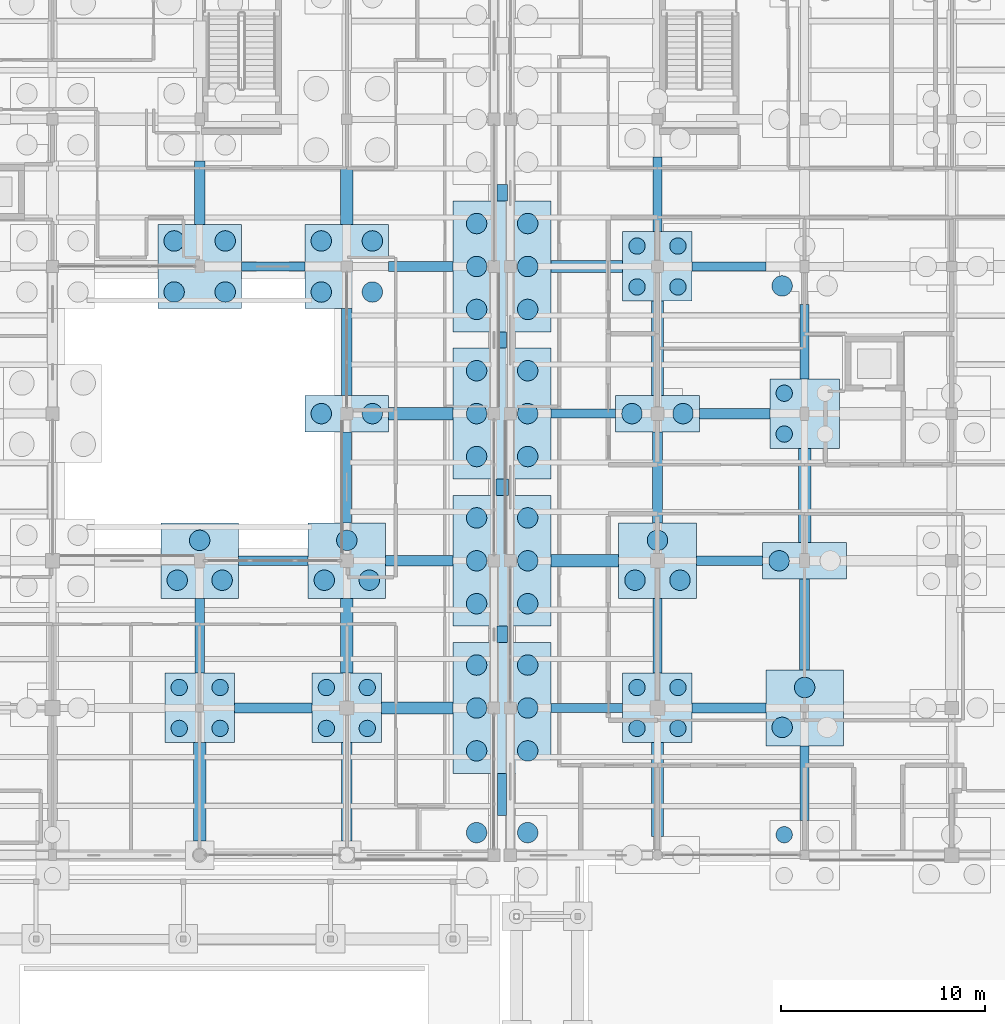
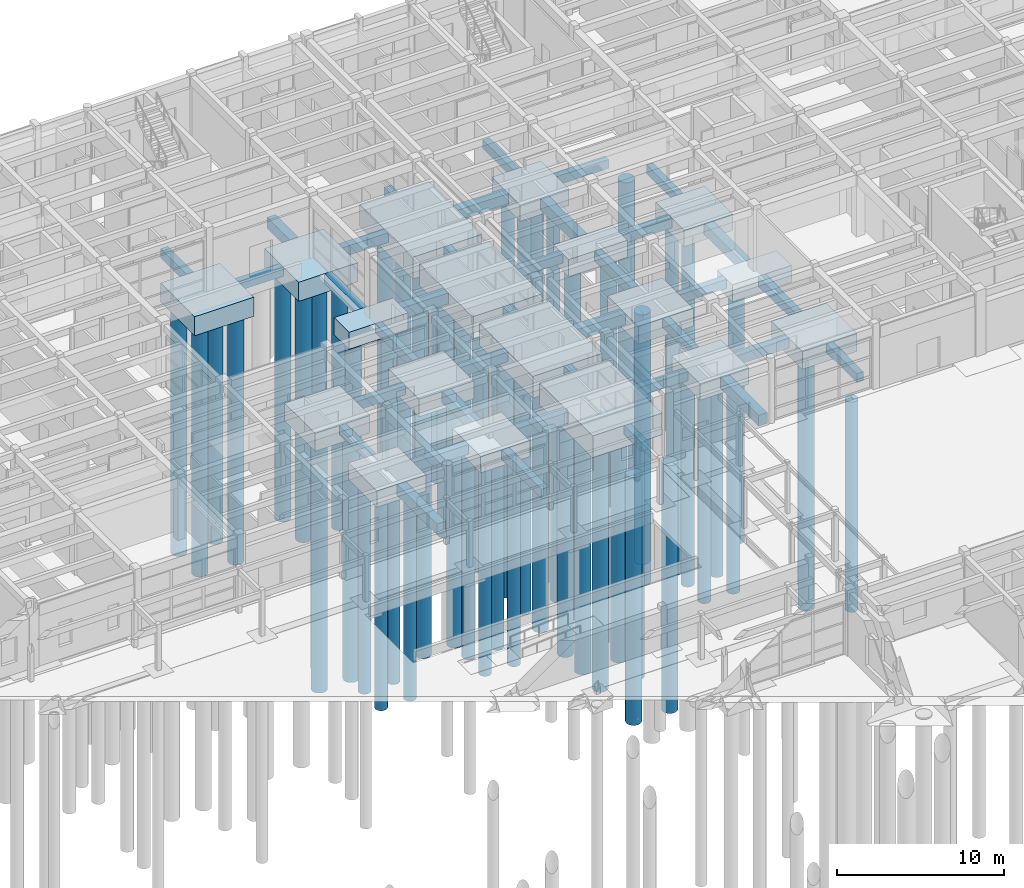
# One storey, part 9 of 143: 70 piles, 55 footings.
"""IFC4 building model written with IfcOpenShell, lengths in metres."""

from ifc_helpers import new_model, si_unit, direction, frame, origin, origin_2d, place, context, subcontext, project, spatial, rectangle, circle, extrude, material, material_profile, profile_set, type_object, element, save


model = new_model("IFC4")

# Units and contexts
model_context = context("Model", 3, precision=1e-05, world=origin(), true_north=direction((0.0, 1.0)))
body_context = subcontext(model_context, "Body", "Model", "MODEL_VIEW")
ifc_project = project(units=[si_unit("LENGTHUNIT", "METRE"), si_unit("AREAUNIT", "SQUARE_METRE"), si_unit("VOLUMEUNIT", "CUBIC_METRE"), si_unit("PLANEANGLEUNIT", "RADIAN"), si_unit("MASSUNIT", "GRAM", prefix="KILO")], contexts=[model_context])

# Site, building, storey
site_placement = place(None, origin())
site = spatial("IfcSite", under=ifc_project, at=site_placement, CompositionType="ELEMENT")
building_placement = place(site_placement, origin())
building = spatial("IfcBuilding", under=site, at=building_placement, Name="Steenspoor Specialist Clinic", CompositionType="ELEMENT")
storey_placement = place(building_placement, origin())
storey = spatial("IfcBuildingStorey", under=building, at=storey_placement, Name="L00", CompositionType="ELEMENT", Elevation=0.0)

# Footings
ifc_material = material(Name="Concrete C35/45", Category="concrete")
footing_type_1 = type_object("IfcFootingType", Name="FTG-PC-2P-1000", PredefinedType="PILE_CAP", material=ifc_material)
for number, where, z_axis, x_axis, name in (
    (1, (110.0, 86.75, -1.25), (0.0, 0.0, 1.0), (1.0, 0.0, 0.0), "Pile Cap FTG-PC-157"),
    (2, (125.199951171875, 86.75, -1.25), (0.0, 0.0, 1.0), (1.0, 0.0, 0.0), "Pile Cap FTG-PC-202"),
    (3, (132.39990234375, 79.550048828125, -1.25), (0.0, 0.0, 1.0), (1.0, 0.0, 0.0), "Pile Cap FTG-PC-208"),
):
    element("IfcFooting", number, at=place(storey_placement, frame(where, z_axis=z_axis, x_axis=x_axis)), inside=storey, type_object=footing_type_1, Name=name, PredefinedType="PILE_CAP", context=body_context, shape_type="SweptSolid", body=[
        extrude(rectangle(XDim=4.10009765625, YDim=1.800048828125, at=origin_2d()), origin(), (0.0, 0.0, 1.0), 1.25),
    ])
footing_type_2 = type_object("IfcFootingType", Name="FTG-PC-3P-1000", PredefinedType="PILE_CAP", material=ifc_material)
for number, where, z_axis, x_axis, name in (
    (4, (102.800048828125, 79.550048828125, -1.2998046875), (0.0, 0.0, 1.0), (1.0, 0.0, 0.0), "Pile Cap FTG-PC-150"),
    (5, (110.0, 79.550048828125, -1.2998046875), (0.0, 0.0, 1.0), (1.0, 0.0, 0.0), "Pile Cap FTG-PC-156"),
    (6, (125.199951171875, 79.550048828125, -1.2998046875), (0.0, 0.0, 1.0), (1.0, 0.0, 0.0), "Pile Cap FTG-PC-201"),
    (7, (132.39990234375, 72.35009765625, -1.2998046875), (0.0, 0.0, 1.0), (1.0, 0.0, 0.0), "Pile Cap FTG-PC-207"),
):
    element("IfcFooting", number, at=place(storey_placement, frame(where, z_axis=z_axis, x_axis=x_axis)), inside=storey, type_object=footing_type_2, Name=name, PredefinedType="PILE_CAP", context=body_context, shape_type="SweptSolid", body=[
        extrude(rectangle(XDim=3.800048828125, YDim=3.699951171875, at=origin_2d()), origin(), (0.0, 0.0, 1.0), 1.300048828125),
    ])
footing_type_3 = type_object("IfcFootingType", Name="FTG-PC-4P-1000", PredefinedType="PILE_CAP", material=ifc_material)
for number, where, z_axis, x_axis, name in (
    (8, (102.800048828125, 93.949951171875, -1.39990234375), (0.0, 0.0, 1.0), (1.0, 0.0, 0.0), "Pile Cap FTG-PC-151"),
    (9, (110.0, 93.949951171875, -1.39990234375), (0.0, 0.0, 1.0), (1.0, 0.0, 0.0), "Pile Cap FTG-PC-158"),
):
    element("IfcFooting", number, at=place(storey_placement, frame(where, z_axis=z_axis, x_axis=x_axis)), inside=storey, type_object=footing_type_3, Name=name, PredefinedType="PILE_CAP", context=body_context, shape_type="SweptSolid", body=[
        extrude(rectangle(XDim=4.10009765625, YDim=4.10009765625, at=origin_2d()), origin(), (0.0, 0.0, 1.0), 1.39990234375),
    ])
footing_type_4 = type_object("IfcFootingType", Name="FTG-PC-4P-800", PredefinedType="PILE_CAP", material=ifc_material)
for number, where, z_axis, x_axis, name in (
    (10, (102.800048828125, 72.35009765625, -1.2001953125), (0.0, 0.0, 1.0), (1.0, 0.0, 0.0), "Pile Cap FTG-PC-149"),
    (11, (110.0, 72.35009765625, -1.2001953125), (0.0, 0.0, 1.0), (1.0, 0.0, 0.0), "Pile Cap FTG-PC-155"),
    (12, (125.199951171875, 72.35009765625, -1.2001953125), (0.0, 0.0, 1.0), (1.0, 0.0, 0.0), "Pile Cap FTG-PC-200"),
    (13, (125.199951171875, 93.949951171875, -1.2001953125), (0.0, 0.0, 1.0), (1.0, 0.0, 0.0), "Pile Cap FTG-PC-203"),
    (14, (132.39990234375, 86.75, -1.2001953125), (0.0, 0.0, 1.0), (1.0, 0.0, 0.0), "Pile Cap FTG-PC-209"),
):
    element("IfcFooting", number, at=place(storey_placement, frame(where, z_axis=z_axis, x_axis=x_axis)), inside=storey, type_object=footing_type_4, Name=name, PredefinedType="PILE_CAP", context=body_context, shape_type="SweptSolid", body=[
        extrude(rectangle(XDim=3.39990234375, YDim=3.39990234375, at=origin_2d()), origin(), (0.0, 0.0, 1.0), 1.199951171875),
    ])
footing_type_5 = type_object("IfcFootingType", Name="FTG-PC-SJ-6P", PredefinedType="PILE_CAP", material=ifc_material)
for number, where, z_axis, x_axis, name in (
    (15, (117.60009765625, 72.35009765625, -1.60009765625), (0.0, 0.0, 1.0), (1.0, 0.0, 0.0), "Pile Cap FTG-PC-162"),
    (16, (117.60009765625, 79.550048828125, -1.60009765625), (0.0, 0.0, 1.0), (1.0, 0.0, 0.0), "Pile Cap FTG-PC-163"),
    (17, (117.60009765625, 86.75, -1.60009765625), (0.0, 0.0, 1.0), (1.0, 0.0, 0.0), "Pile Cap FTG-PC-164"),
    (18, (117.60009765625, 93.949951171875, -1.60009765625), (0.0, 0.0, 1.0), (1.0, 0.0, 0.0), "Pile Cap FTG-PC-165"),
):
    element("IfcFooting", number, at=place(storey_placement, frame(where, z_axis=z_axis, x_axis=x_axis)), inside=storey, type_object=footing_type_5, Name=name, PredefinedType="PILE_CAP", context=body_context, shape_type="SweptSolid", body=[
        extrude(rectangle(XDim=4.800048828125, YDim=6.39990234375, at=origin_2d()), origin(), (0.0, 0.0, 1.0), 1.60009765625),
    ])
footing_type_6 = type_object("IfcFootingType", Name="FTG-TB-450X650", PredefinedType="FOOTING_BEAM", material=ifc_material)
footing_1_placement = place(storey_placement, frame((121.75, 72.35009765625, -0.64990234375), z_axis=(0.0, 0.0, 1.0), x_axis=(1.0, 0.0, 0.0)))
element("IfcFooting", 19, at=footing_1_placement, inside=storey, type_object=footing_type_6, Name="Seismic Tie Beam FTG-TB-164", PredefinedType="FOOTING_BEAM", context=body_context, shape_type="SweptSolid", body=[
    extrude(rectangle(XDim=3.5, YDim=0.449951171875, at=origin_2d()), origin(), (0.0, 0.0, 1.0), 0.64990234375),
])
footing_2_placement = place(storey_placement, frame((106.39990234375, 79.550048828125, -0.64990234375), z_axis=(0.0, 0.0, 1.0), x_axis=(1.0, 0.0, 0.0)))
element("IfcFooting", 20, at=footing_2_placement, inside=storey, type_object=footing_type_6, Name="Seismic Tie Beam FTG-TB-182", PredefinedType="FOOTING_BEAM", context=body_context, shape_type="SweptSolid", body=[
    extrude(rectangle(XDim=3.39990234375, YDim=0.449951171875, at=origin_2d()), origin(), (0.0, 0.0, 1.0), 0.64990234375),
])
footing_3_placement = place(storey_placement, frame((128.72509765625, 79.550048828125, -0.64990234375), z_axis=(0.0, 0.0, 1.0), x_axis=(1.0, 0.0, 0.0)))
element("IfcFooting", 21, at=footing_3_placement, inside=storey, type_object=footing_type_6, Name="Seismic Tie Beam FTG-TB-185", PredefinedType="FOOTING_BEAM", context=body_context, shape_type="SweptSolid", body=[
    extrude(rectangle(XDim=3.25, YDim=0.449951171875, at=origin_2d()), origin(), (0.0, 0.0, 1.0), 0.64990234375),
])
footing_4_placement = place(storey_placement, frame((121.574951171875, 86.75, -0.64990234375), z_axis=(0.0, 0.0, 1.0), x_axis=(1.0, 0.0, 0.0)))
element("IfcFooting", 22, at=footing_4_placement, inside=storey, type_object=footing_type_6, Name="Seismic Tie Beam FTG-TB-200", PredefinedType="FOOTING_BEAM", context=body_context, shape_type="SweptSolid", body=[
    extrude(rectangle(XDim=3.14990234375, YDim=0.449951171875, at=origin_2d()), origin(), (0.0, 0.0, 1.0), 0.64990234375),
])
footing_5_placement = place(storey_placement, frame((106.39990234375, 93.949951171875, -0.64990234375), z_axis=(0.0, 0.0, 1.0), x_axis=(1.0, 0.0, 0.0)))
element("IfcFooting", 23, at=footing_5_placement, inside=storey, type_object=footing_type_6, Name="Seismic Tie Beam FTG-TB-218", PredefinedType="FOOTING_BEAM", context=body_context, shape_type="SweptSolid", body=[
    extrude(rectangle(XDim=3.10009765625, YDim=0.449951171875, at=origin_2d()), origin(), (0.0, 0.0, 1.0), 0.64990234375),
])
footing_6_placement = place(storey_placement, frame((128.699951171875, 93.949951171875, -0.64990234375), z_axis=(0.0, 0.0, 1.0), x_axis=(1.0, 0.0, 0.0)))
element("IfcFooting", 24, at=footing_6_placement, inside=storey, type_object=footing_type_6, Name="Seismic Tie Beam FTG-TB-221", PredefinedType="FOOTING_BEAM", context=body_context, shape_type="SweptSolid", body=[
    extrude(rectangle(XDim=3.60009765625, YDim=0.449951171875, at=origin_2d()), origin(), (0.0, 0.0, 1.0), 0.64990234375),
])
footing_7_placement = place(storey_placement, frame((102.800048828125, 75.875, -0.64990234375), z_axis=(0.0, 0.0, 1.0), x_axis=(1.0, 0.0, 0.0)))
element("IfcFooting", 25, at=footing_7_placement, inside=storey, type_object=footing_type_6, Name="Seismic Tie Beam FTG-TB-392", PredefinedType="FOOTING_BEAM", context=body_context, shape_type="SweptSolid", body=[
    extrude(rectangle(XDim=0.449951171875, YDim=3.64990234375, at=origin_2d()), origin(), (0.0, 0.0, 1.0), 0.64990234375),
])
footing_8_placement = place(storey_placement, frame((110.0, 83.625, -0.64990234375), z_axis=(0.0, 0.0, 1.0), x_axis=(1.0, 0.0, 0.0)))
element("IfcFooting", 26, at=footing_8_placement, inside=storey, type_object=footing_type_6, Name="Seismic Tie Beam FTG-TB-401", PredefinedType="FOOTING_BEAM", context=body_context, shape_type="SweptSolid", body=[
    extrude(rectangle(XDim=0.449951171875, YDim=4.449951171875, at=origin_2d()), origin(), (0.0, 0.0, 1.0), 0.64990234375),
])
footing_9_placement = place(storey_placement, frame((117.60009765625, 68.125, -0.64990234375), z_axis=(0.0, 0.0, 1.0), x_axis=(1.0, 0.0, 0.0)))
element("IfcFooting", 27, at=footing_9_placement, inside=storey, type_object=footing_type_6, Name="Seismic Tie Beam FTG-TB-407", PredefinedType="FOOTING_BEAM", context=body_context, shape_type="SweptSolid", body=[
    extrude(rectangle(XDim=0.449951171875, YDim=2.050048828125, at=origin_2d()), origin(), (0.0, 0.0, 1.0), 0.64990234375),
])
footing_10_placement = place(storey_placement, frame((117.60009765625, 90.35009765625, -0.64990234375), z_axis=(0.0, 0.0, 1.0), x_axis=(1.0, 0.0, 0.0)))
element("IfcFooting", 28, at=footing_10_placement, inside=storey, type_object=footing_type_6, Name="Seismic Tie Beam FTG-TB-410", PredefinedType="FOOTING_BEAM", context=body_context, shape_type="SweptSolid", body=[
    extrude(rectangle(XDim=0.449951171875, YDim=0.800048828125, at=origin_2d()), origin(), (0.0, 0.0, 1.0), 0.64990234375),
])
for number, where, z_axis, x_axis, name in (
    (29, (125.199951171875, 75.875, -0.64990234375), (0.0, 0.0, 1.0), (1.0, 0.0, 0.0), "Seismic Tie Beam FTG-TB-422"),
    (30, (125.199951171875, 97.47509765625, -0.64990234375), (0.0, 0.0, 1.0), (1.0, 0.0, 0.0), "Seismic Tie Beam FTG-TB-425"),
    (31, (132.39990234375, 68.675048828125, -0.64990234375), (0.0, 0.0, 1.0), (1.0, 0.0, 0.0), "Seismic Tie Beam FTG-TB-431"),
    (32, (132.39990234375, 90.27490234375, -0.64990234375), (0.0, 0.0, 1.0), (1.0, 0.0, 0.0), "Seismic Tie Beam FTG-TB-434"),
):
    element("IfcFooting", number, at=place(storey_placement, frame(where, z_axis=z_axis, x_axis=x_axis)), inside=storey, type_object=footing_type_6, Name=name, PredefinedType="FOOTING_BEAM", context=body_context, shape_type="SweptSolid", body=[
        extrude(rectangle(XDim=0.449951171875, YDim=3.64990234375, at=origin_2d()), origin(), (0.0, 0.0, 1.0), 0.64990234375),
    ])
footing_type_7 = type_object("IfcFootingType", Name="FTG-TB-500X700", PredefinedType="FOOTING_BEAM", material=ifc_material)
footing_11_placement = place(storey_placement, frame((106.39990234375, 72.35009765625, -0.7001953125), z_axis=(0.0, 0.0, 1.0), x_axis=(1.0, 0.0, 0.0)))
element("IfcFooting", 33, at=footing_11_placement, inside=storey, type_object=footing_type_7, Name="Seismic Tie Beam FTG-TB-162", PredefinedType="FOOTING_BEAM", context=body_context, shape_type="SweptSolid", body=[
    extrude(rectangle(XDim=3.800048828125, YDim=0.5, at=origin_2d()), origin(), (0.0, 0.0, 1.0), 0.699951171875),
])
footing_12_placement = place(storey_placement, frame((128.699951171875, 72.35009765625, -0.7001953125), z_axis=(0.0, 0.0, 1.0), x_axis=(1.0, 0.0, 0.0)))
element("IfcFooting", 34, at=footing_12_placement, inside=storey, type_object=footing_type_7, Name="Seismic Tie Beam FTG-TB-165", PredefinedType="FOOTING_BEAM", context=body_context, shape_type="SweptSolid", body=[
    extrude(rectangle(XDim=3.60009765625, YDim=0.5, at=origin_2d()), origin(), (0.0, 0.0, 1.0), 0.699951171875),
])
footing_13_placement = place(storey_placement, frame((113.550048828125, 79.550048828125, -0.7001953125), z_axis=(0.0, 0.0, 1.0), x_axis=(1.0, 0.0, 0.0)))
element("IfcFooting", 35, at=footing_13_placement, inside=storey, type_object=footing_type_7, Name="Seismic Tie Beam FTG-TB-183", PredefinedType="FOOTING_BEAM", context=body_context, shape_type="SweptSolid", body=[
    extrude(rectangle(XDim=3.300048828125, YDim=0.5, at=origin_2d()), origin(), (0.0, 0.0, 1.0), 0.699951171875),
])
footing_14_placement = place(storey_placement, frame((128.97509765625, 86.75, -0.7001953125), z_axis=(0.0, 0.0, 1.0), x_axis=(1.0, 0.0, 0.0)))
element("IfcFooting", 36, at=footing_14_placement, inside=storey, type_object=footing_type_7, Name="Seismic Tie Beam FTG-TB-201", PredefinedType="FOOTING_BEAM", context=body_context, shape_type="SweptSolid", body=[
    extrude(rectangle(XDim=3.449951171875, YDim=0.5, at=origin_2d()), origin(), (0.0, 0.0, 1.0), 0.699951171875),
])
footing_15_placement = place(storey_placement, frame((113.625, 93.949951171875, -0.7001953125), z_axis=(0.0, 0.0, 1.0), x_axis=(1.0, 0.0, 0.0)))
element("IfcFooting", 37, at=footing_15_placement, inside=storey, type_object=footing_type_7, Name="Seismic Tie Beam FTG-TB-219", PredefinedType="FOOTING_BEAM", context=body_context, shape_type="SweptSolid", body=[
    extrude(rectangle(XDim=3.14990234375, YDim=0.5, at=origin_2d()), origin(), (0.0, 0.0, 1.0), 0.699951171875),
])
footing_16_placement = place(storey_placement, frame((102.800048828125, 97.550048828125, -0.7001953125), z_axis=(0.0, 0.0, 1.0), x_axis=(1.0, 0.0, 0.0)))
element("IfcFooting", 38, at=footing_16_placement, inside=storey, type_object=footing_type_7, Name="Seismic Tie Beam FTG-TB-393", PredefinedType="FOOTING_BEAM", context=body_context, shape_type="SweptSolid", body=[
    extrude(rectangle(XDim=0.5, YDim=3.10009765625, at=origin_2d()), origin(), (0.0, 0.0, 1.0), 0.699951171875),
])
footing_17_placement = place(storey_placement, frame((110.0, 68.25, -0.7001953125), z_axis=(0.0, 0.0, 1.0), x_axis=(1.0, 0.0, 0.0)))
element("IfcFooting", 39, at=footing_17_placement, inside=storey, type_object=footing_type_7, Name="Seismic Tie Beam FTG-TB-399", PredefinedType="FOOTING_BEAM", context=body_context, shape_type="SweptSolid", body=[
    extrude(rectangle(XDim=0.5, YDim=4.800048828125, at=origin_2d()), origin(), (0.0, 0.0, 1.0), 0.699951171875),
])
footing_18_placement = place(storey_placement, frame((110.0, 89.77490234375, -0.7001953125), z_axis=(0.0, 0.0, 1.0), x_axis=(1.0, 0.0, 0.0)))
element("IfcFooting", 40, at=footing_18_placement, inside=storey, type_object=footing_type_7, Name="Seismic Tie Beam FTG-TB-402", PredefinedType="FOOTING_BEAM", context=body_context, shape_type="SweptSolid", body=[
    extrude(rectangle(XDim=0.5, YDim=4.25, at=origin_2d()), origin(), (0.0, 0.0, 1.0), 0.699951171875),
])
for number, where, z_axis, x_axis, name in (
    (41, (117.60009765625, 75.949951171875, -0.7001953125), (0.0, 0.0, 1.0), (1.0, 0.0, 0.0), "Seismic Tie Beam FTG-TB-408"),
    (42, (117.60009765625, 97.550048828125, -0.7001953125), (0.0, 0.0, 1.0), (1.0, 0.0, 0.0), "Seismic Tie Beam FTG-TB-411"),
):
    element("IfcFooting", number, at=place(storey_placement, frame(where, z_axis=z_axis, x_axis=x_axis)), inside=storey, type_object=footing_type_7, Name=name, PredefinedType="FOOTING_BEAM", context=body_context, shape_type="SweptSolid", body=[
        extrude(rectangle(XDim=0.5, YDim=0.800048828125, at=origin_2d()), origin(), (0.0, 0.0, 1.0), 0.699951171875),
    ])
for number, where, z_axis, x_axis, name in (
    (43, (125.199951171875, 83.625, -0.7001953125), (0.0, 0.0, 1.0), (1.0, 0.0, 0.0), "Seismic Tie Beam FTG-TB-423"),
    (44, (132.39990234375, 76.425048828125, -0.7001953125), (0.0, 0.0, 1.0), (1.0, 0.0, 0.0), "Seismic Tie Beam FTG-TB-432"),
):
    element("IfcFooting", number, at=place(storey_placement, frame(where, z_axis=z_axis, x_axis=x_axis)), inside=storey, type_object=footing_type_7, Name=name, PredefinedType="FOOTING_BEAM", context=body_context, shape_type="SweptSolid", body=[
        extrude(rectangle(XDim=0.5, YDim=4.449951171875, at=origin_2d()), origin(), (0.0, 0.0, 1.0), 0.699951171875),
    ])
footing_type_8 = type_object("IfcFootingType", Name="FTG-TB-600X800", PredefinedType="FOOTING_BEAM", material=ifc_material)
footing_19_placement = place(storey_placement, frame((113.449951171875, 72.35009765625, -0.7998046875), z_axis=(0.0, 0.0, 1.0), x_axis=(1.0, 0.0, 0.0)))
element("IfcFooting", 45, at=footing_19_placement, inside=storey, type_object=footing_type_8, Name="Seismic Tie Beam FTG-TB-163", PredefinedType="FOOTING_BEAM", context=body_context, shape_type="SweptSolid", body=[
    extrude(rectangle(XDim=3.5, YDim=0.60009765625, at=origin_2d()), origin(), (0.0, 0.0, 1.0), 0.800048828125),
])
footing_20_placement = place(storey_placement, frame((121.64990234375, 79.550048828125, -0.7998046875), z_axis=(0.0, 0.0, 1.0), x_axis=(1.0, 0.0, 0.0)))
element("IfcFooting", 46, at=footing_20_placement, inside=storey, type_object=footing_type_8, Name="Seismic Tie Beam FTG-TB-184", PredefinedType="FOOTING_BEAM", context=body_context, shape_type="SweptSolid", body=[
    extrude(rectangle(XDim=3.300048828125, YDim=0.60009765625, at=origin_2d()), origin(), (0.0, 0.0, 1.0), 0.800048828125),
])
footing_21_placement = place(storey_placement, frame((113.625, 86.75, -0.7998046875), z_axis=(0.0, 0.0, 1.0), x_axis=(1.0, 0.0, 0.0)))
element("IfcFooting", 47, at=footing_21_placement, inside=storey, type_object=footing_type_8, Name="Seismic Tie Beam FTG-TB-199", PredefinedType="FOOTING_BEAM", context=body_context, shape_type="SweptSolid", body=[
    extrude(rectangle(XDim=3.14990234375, YDim=0.60009765625, at=origin_2d()), origin(), (0.0, 0.0, 1.0), 0.800048828125),
])
footing_22_placement = place(storey_placement, frame((121.75, 93.949951171875, -0.7998046875), z_axis=(0.0, 0.0, 1.0), x_axis=(1.0, 0.0, 0.0)))
element("IfcFooting", 48, at=footing_22_placement, inside=storey, type_object=footing_type_8, Name="Seismic Tie Beam FTG-TB-220", PredefinedType="FOOTING_BEAM", context=body_context, shape_type="SweptSolid", body=[
    extrude(rectangle(XDim=3.5, YDim=0.60009765625, at=origin_2d()), origin(), (0.0, 0.0, 1.0), 0.800048828125),
])
footing_23_placement = place(storey_placement, frame((102.800048828125, 68.25, -0.7998046875), z_axis=(0.0, 0.0, 1.0), x_axis=(1.0, 0.0, 0.0)))
element("IfcFooting", 49, at=footing_23_placement, inside=storey, type_object=footing_type_8, Name="Seismic Tie Beam FTG-TB-391", PredefinedType="FOOTING_BEAM", context=body_context, shape_type="SweptSolid", body=[
    extrude(rectangle(XDim=0.60009765625, YDim=4.800048828125, at=origin_2d()), origin(), (0.0, 0.0, 1.0), 0.800048828125),
])
footing_24_placement = place(storey_placement, frame((110.0, 75.875, -0.7998046875), z_axis=(0.0, 0.0, 1.0), x_axis=(1.0, 0.0, 0.0)))
element("IfcFooting", 50, at=footing_24_placement, inside=storey, type_object=footing_type_8, Name="Seismic Tie Beam FTG-TB-400", PredefinedType="FOOTING_BEAM", context=body_context, shape_type="SweptSolid", body=[
    extrude(rectangle(XDim=0.60009765625, YDim=3.64990234375, at=origin_2d()), origin(), (0.0, 0.0, 1.0), 0.800048828125),
])
footing_25_placement = place(storey_placement, frame((110.0, 97.375, -0.7998046875), z_axis=(0.0, 0.0, 1.0), x_axis=(1.0, 0.0, 0.0)))
element("IfcFooting", 51, at=footing_25_placement, inside=storey, type_object=footing_type_8, Name="Seismic Tie Beam FTG-TB-403", PredefinedType="FOOTING_BEAM", context=body_context, shape_type="SweptSolid", body=[
    extrude(rectangle(XDim=0.60009765625, YDim=2.75, at=origin_2d()), origin(), (0.0, 0.0, 1.0), 0.800048828125),
])
footing_26_placement = place(storey_placement, frame((117.60009765625, 83.14990234375, -0.7998046875), z_axis=(0.0, 0.0, 1.0), x_axis=(1.0, 0.0, 0.0)))
element("IfcFooting", 52, at=footing_26_placement, inside=storey, type_object=footing_type_8, Name="Seismic Tie Beam FTG-TB-409", PredefinedType="FOOTING_BEAM", context=body_context, shape_type="SweptSolid", body=[
    extrude(rectangle(XDim=0.60009765625, YDim=0.800048828125, at=origin_2d()), origin(), (0.0, 0.0, 1.0), 0.800048828125),
])
for number, where, z_axis, x_axis, name in (
    (53, (125.199951171875, 68.35009765625, -0.7998046875), (0.0, 0.0, 1.0), (1.0, 0.0, 0.0), "Seismic Tie Beam FTG-TB-421"),
    (54, (125.199951171875, 89.949951171875, -0.7998046875), (0.0, 0.0, 1.0), (1.0, 0.0, 0.0), "Seismic Tie Beam FTG-TB-424"),
    (55, (132.39990234375, 82.75, -0.7998046875), (0.0, 0.0, 1.0), (1.0, 0.0, 0.0), "Seismic Tie Beam FTG-TB-433"),
):
    element("IfcFooting", number, at=place(storey_placement, frame(where, z_axis=z_axis, x_axis=x_axis)), inside=storey, type_object=footing_type_8, Name=name, PredefinedType="FOOTING_BEAM", context=body_context, shape_type="SweptSolid", body=[
        extrude(rectangle(XDim=0.60009765625, YDim=4.60009765625, at=origin_2d()), origin(), (0.0, 0.0, 1.0), 0.800048828125),
    ])

# Piles
ifc_material_profile_1 = material_profile(ifc_material, circle(Radius=0.5, at=origin_2d()), Name="PILE-D1000")
ifc_profile_set_1 = profile_set([ifc_material_profile_1], Name="Concrete C35/45")
pile_type_1 = type_object("IfcPileType", Name="PILE-RC-D1000", PredefinedType="BORED", material=ifc_profile_set_1)
for number, where, z_axis, x_axis, name in (
    (56, (101.699951171875, 78.60009765625, -1.199951171875), (0.0, 0.0, -1.0), (1.0, 0.0, 0.0), "Bored Pile PILE-0353"),
    (57, (103.89990234375, 78.60009765625, -1.199951171875), (0.0, 0.0, -1.0), (1.0, 0.0, 0.0), "Bored Pile PILE-0354"),
    (58, (102.800048828125, 80.550048828125, -1.199951171875), (0.0, 0.0, -1.0), (1.0, 0.0, 0.0), "Bored Pile PILE-0355"),
):
    element("IfcPile", number, at=place(storey_placement, frame(where, z_axis=z_axis, x_axis=x_axis)), inside=storey, type_object=pile_type_1, Name=name, PredefinedType="BORED", context=body_context, shape_type="SweptSolid", body=[
        extrude(circle(Radius=0.5, at=origin_2d()), origin(), (0.0, 0.0, 1.0), 18.300048828125),
    ])
for number, where, z_axis, x_axis, name in (
    (59, (101.550048828125, 92.699951171875, -1.300048828125), (0.0, 0.0, -1.0), (1.0, 0.0, 0.0), "Bored Pile PILE-0356"),
    (60, (104.050048828125, 92.699951171875, -1.300048828125), (0.0, 0.0, -1.0), (1.0, 0.0, 0.0), "Bored Pile PILE-0357"),
    (61, (101.550048828125, 95.199951171875, -1.300048828125), (0.0, 0.0, -1.0), (1.0, 0.0, 0.0), "Bored Pile PILE-0358"),
    (62, (104.050048828125, 95.199951171875, -1.300048828125), (0.0, 0.0, -1.0), (1.0, 0.0, 0.0), "Bored Pile PILE-0359"),
):
    element("IfcPile", number, at=place(storey_placement, frame(where, z_axis=z_axis, x_axis=x_axis)), inside=storey, type_object=pile_type_1, Name=name, PredefinedType="BORED", context=body_context, shape_type="SweptSolid", body=[
        extrude(circle(Radius=0.5, at=origin_2d()), origin(), (0.0, 0.0, 1.0), 18.199951171875),
    ])
for number, where, z_axis, x_axis, name in (
    (63, (108.89990234375, 78.60009765625, -1.199951171875), (0.0, 0.0, -1.0), (1.0, 0.0, 0.0), "Bored Pile PILE-0373"),
    (64, (111.10009765625, 78.60009765625, -1.199951171875), (0.0, 0.0, -1.0), (1.0, 0.0, 0.0), "Bored Pile PILE-0374"),
    (65, (110.0, 80.550048828125, -1.199951171875), (0.0, 0.0, -1.0), (1.0, 0.0, 0.0), "Bored Pile PILE-0375"),
):
    element("IfcPile", number, at=place(storey_placement, frame(where, z_axis=z_axis, x_axis=x_axis)), inside=storey, type_object=pile_type_1, Name=name, PredefinedType="BORED", context=body_context, shape_type="SweptSolid", body=[
        extrude(circle(Radius=0.5, at=origin_2d()), origin(), (0.0, 0.0, 1.0), 18.300048828125),
    ])
for number, where, z_axis, x_axis, name in (
    (66, (108.75, 86.75, -1.14990234375), (0.0, 0.0, -1.0), (1.0, 0.0, 0.0), "Bored Pile PILE-0376"),
    (67, (111.25, 86.75, -1.14990234375), (0.0, 0.0, -1.0), (1.0, 0.0, 0.0), "Bored Pile PILE-0377"),
):
    element("IfcPile", number, at=place(storey_placement, frame(where, z_axis=z_axis, x_axis=x_axis)), inside=storey, type_object=pile_type_1, Name=name, PredefinedType="BORED", context=body_context, shape_type="SweptSolid", body=[
        extrude(circle(Radius=0.5, at=origin_2d()), origin(), (0.0, 0.0, 1.0), 18.35009765625),
    ])
for number, where, z_axis, x_axis, name in (
    (68, (108.75, 92.699951171875, -1.300048828125), (0.0, 0.0, -1.0), (1.0, 0.0, 0.0), "Bored Pile PILE-0378"),
    (69, (111.25, 92.699951171875, -1.300048828125), (0.0, 0.0, -1.0), (1.0, 0.0, 0.0), "Bored Pile PILE-0379"),
    (70, (108.75, 95.199951171875, -1.300048828125), (0.0, 0.0, -1.0), (1.0, 0.0, 0.0), "Bored Pile PILE-0380"),
    (71, (111.25, 95.199951171875, -1.300048828125), (0.0, 0.0, -1.0), (1.0, 0.0, 0.0), "Bored Pile PILE-0381"),
):
    element("IfcPile", number, at=place(storey_placement, frame(where, z_axis=z_axis, x_axis=x_axis)), inside=storey, type_object=pile_type_1, Name=name, PredefinedType="BORED", context=body_context, shape_type="SweptSolid", body=[
        extrude(circle(Radius=0.5, at=origin_2d()), origin(), (0.0, 0.0, 1.0), 18.199951171875),
    ])
for number, where, z_axis, x_axis, name in (
    (72, (116.35009765625, 66.25, -1.35009765625), (0.0, 0.0, -1.0), (1.0, 0.0, 0.0), "Bored Pile PILE-0392"),
    (73, (118.85009765625, 66.25, -1.35009765625), (0.0, 0.0, -1.0), (1.0, 0.0, 0.0), "Bored Pile PILE-0393"),
):
    element("IfcPile", number, at=place(storey_placement, frame(where, z_axis=z_axis, x_axis=x_axis)), inside=storey, type_object=pile_type_1, Name=name, PredefinedType="BORED", context=body_context, shape_type="SweptSolid", body=[
        extrude(circle(Radius=0.5, at=origin_2d()), origin(), (0.0, 0.0, 1.0), 18.14990234375),
    ])
for number, where, z_axis, x_axis, name in (
    (74, (116.35009765625, 70.25, -1.5), (0.0, 0.0, -1.0), (1.0, 0.0, 0.0), "Bored Pile PILE-0394"),
    (75, (118.85009765625, 70.25, -1.5), (0.0, 0.0, -1.0), (1.0, 0.0, 0.0), "Bored Pile PILE-0395"),
    (76, (116.35009765625, 72.35009765625, -1.5), (0.0, 0.0, -1.0), (1.0, 0.0, 0.0), "Bored Pile PILE-0396"),
    (77, (118.85009765625, 72.35009765625, -1.5), (0.0, 0.0, -1.0), (1.0, 0.0, 0.0), "Bored Pile PILE-0397"),
    (78, (116.35009765625, 74.449951171875, -1.5), (0.0, 0.0, -1.0), (1.0, 0.0, 0.0), "Bored Pile PILE-0398"),
    (79, (118.85009765625, 74.449951171875, -1.5), (0.0, 0.0, -1.0), (1.0, 0.0, 0.0), "Bored Pile PILE-0399"),
    (80, (116.35009765625, 77.449951171875, -1.5), (0.0, 0.0, -1.0), (1.0, 0.0, 0.0), "Bored Pile PILE-0400"),
    (81, (118.85009765625, 77.449951171875, -1.5), (0.0, 0.0, -1.0), (1.0, 0.0, 0.0), "Bored Pile PILE-0401"),
    (82, (116.35009765625, 79.550048828125, -1.5), (0.0, 0.0, -1.0), (1.0, 0.0, 0.0), "Bored Pile PILE-0402"),
    (83, (118.85009765625, 79.550048828125, -1.5), (0.0, 0.0, -1.0), (1.0, 0.0, 0.0), "Bored Pile PILE-0403"),
    (84, (116.35009765625, 81.64990234375, -1.5), (0.0, 0.0, -1.0), (1.0, 0.0, 0.0), "Bored Pile PILE-0404"),
    (85, (118.85009765625, 81.64990234375, -1.5), (0.0, 0.0, -1.0), (1.0, 0.0, 0.0), "Bored Pile PILE-0405"),
    (86, (116.35009765625, 84.64990234375, -1.5), (0.0, 0.0, -1.0), (1.0, 0.0, 0.0), "Bored Pile PILE-0406"),
    (87, (118.85009765625, 84.64990234375, -1.5), (0.0, 0.0, -1.0), (1.0, 0.0, 0.0), "Bored Pile PILE-0407"),
    (88, (116.35009765625, 86.75, -1.5), (0.0, 0.0, -1.0), (1.0, 0.0, 0.0), "Bored Pile PILE-0408"),
    (89, (118.85009765625, 86.75, -1.5), (0.0, 0.0, -1.0), (1.0, 0.0, 0.0), "Bored Pile PILE-0409"),
    (90, (116.35009765625, 88.85009765625, -1.5), (0.0, 0.0, -1.0), (1.0, 0.0, 0.0), "Bored Pile PILE-0410"),
    (91, (118.85009765625, 88.85009765625, -1.5), (0.0, 0.0, -1.0), (1.0, 0.0, 0.0), "Bored Pile PILE-0411"),
    (92, (116.35009765625, 91.85009765625, -1.5), (0.0, 0.0, -1.0), (1.0, 0.0, 0.0), "Bored Pile PILE-0412"),
    (93, (118.85009765625, 91.85009765625, -1.5), (0.0, 0.0, -1.0), (1.0, 0.0, 0.0), "Bored Pile PILE-0413"),
    (94, (116.35009765625, 93.949951171875, -1.5), (0.0, 0.0, -1.0), (1.0, 0.0, 0.0), "Bored Pile PILE-0414"),
    (95, (118.85009765625, 93.949951171875, -1.5), (0.0, 0.0, -1.0), (1.0, 0.0, 0.0), "Bored Pile PILE-0415"),
    (96, (116.35009765625, 96.050048828125, -1.5), (0.0, 0.0, -1.0), (1.0, 0.0, 0.0), "Bored Pile PILE-0416"),
    (97, (118.85009765625, 96.050048828125, -1.5), (0.0, 0.0, -1.0), (1.0, 0.0, 0.0), "Bored Pile PILE-0417"),
):
    element("IfcPile", number, at=place(storey_placement, frame(where, z_axis=z_axis, x_axis=x_axis)), inside=storey, type_object=pile_type_1, Name=name, PredefinedType="BORED", context=body_context, shape_type="SweptSolid", body=[
        extrude(circle(Radius=0.5, at=origin_2d()), origin(), (0.0, 0.0, 1.0), 18.0),
    ])
for number, where, z_axis, x_axis, name in (
    (98, (124.10009765625, 78.60009765625, -1.199951171875), (0.0, 0.0, -1.0), (1.0, 0.0, 0.0), "Bored Pile PILE-0516"),
    (99, (126.300048828125, 78.60009765625, -1.199951171875), (0.0, 0.0, -1.0), (1.0, 0.0, 0.0), "Bored Pile PILE-0517"),
    (100, (125.199951171875, 80.550048828125, -1.199951171875), (0.0, 0.0, -1.0), (1.0, 0.0, 0.0), "Bored Pile PILE-0518"),
):
    element("IfcPile", number, at=place(storey_placement, frame(where, z_axis=z_axis, x_axis=x_axis)), inside=storey, type_object=pile_type_1, Name=name, PredefinedType="BORED", context=body_context, shape_type="SweptSolid", body=[
        extrude(circle(Radius=0.5, at=origin_2d()), origin(), (0.0, 0.0, 1.0), 18.300048828125),
    ])
for number, where, z_axis, x_axis, name in (
    (101, (123.949951171875, 86.75, -1.14990234375), (0.0, 0.0, -1.0), (1.0, 0.0, 0.0), "Bored Pile PILE-0519"),
    (102, (126.449951171875, 86.75, -1.14990234375), (0.0, 0.0, -1.0), (1.0, 0.0, 0.0), "Bored Pile PILE-0520"),
):
    element("IfcPile", number, at=place(storey_placement, frame(where, z_axis=z_axis, x_axis=x_axis)), inside=storey, type_object=pile_type_1, Name=name, PredefinedType="BORED", context=body_context, shape_type="SweptSolid", body=[
        extrude(circle(Radius=0.5, at=origin_2d()), origin(), (0.0, 0.0, 1.0), 18.35009765625),
    ])
for number, where, z_axis, x_axis, name in (
    (103, (131.300048828125, 71.39990234375, -1.199951171875), (0.0, 0.0, -1.0), (1.0, 0.0, 0.0), "Bored Pile PILE-0534"),
    (104, (132.39990234375, 73.35009765625, -1.199951171875), (0.0, 0.0, -1.0), (1.0, 0.0, 0.0), "Bored Pile PILE-0536"),
):
    element("IfcPile", number, at=place(storey_placement, frame(where, z_axis=z_axis, x_axis=x_axis)), inside=storey, type_object=pile_type_1, Name=name, PredefinedType="BORED", context=body_context, shape_type="SweptSolid", body=[
        extrude(circle(Radius=0.5, at=origin_2d()), origin(), (0.0, 0.0, 1.0), 18.300048828125),
    ])
pile_1_placement = place(storey_placement, frame((131.14990234375, 79.550048828125, -1.14990234375), z_axis=(0.0, 0.0, -1.0), x_axis=(1.0, 0.0, 0.0)))
element("IfcPile", 105, at=pile_1_placement, inside=storey, type_object=pile_type_1, Name="Bored Pile PILE-0537", PredefinedType="BORED", context=body_context, shape_type="SweptSolid", body=[
    extrude(circle(Radius=0.5, at=origin_2d()), origin(), (0.0, 0.0, 1.0), 18.35009765625),
])
pile_2_placement = place(storey_placement, frame((131.300048828125, 93.0, -1.199951171875), z_axis=(0.0, 0.0, -1.0), x_axis=(1.0, 0.0, 0.0)))
element("IfcPile", 106, at=pile_2_placement, inside=storey, type_object=pile_type_1, Name="Bored Pile PILE-0543", PredefinedType="BORED", context=body_context, shape_type="SweptSolid", body=[
    extrude(circle(Radius=0.5, at=origin_2d()), origin(), (0.0, 0.0, 1.0), 18.300048828125),
])
ifc_material_profile_2 = material_profile(ifc_material, circle(Radius=0.39990234375, at=origin_2d()), Name="PILE-D800")
ifc_profile_set_2 = profile_set([ifc_material_profile_2], Name="Concrete C35/45")
pile_type_2 = type_object("IfcPileType", Name="PILE-RC-D800", PredefinedType="BORED", material=ifc_profile_set_2)
for number, where, z_axis, x_axis, name in (
    (107, (101.800048828125, 71.35009765625, -1.10009765625), (0.0, 0.0, -1.0), (1.0, 0.0, 0.0), "Bored Pile PILE-0349"),
    (108, (103.800048828125, 71.35009765625, -1.10009765625), (0.0, 0.0, -1.0), (1.0, 0.0, 0.0), "Bored Pile PILE-0350"),
    (109, (101.800048828125, 73.35009765625, -1.10009765625), (0.0, 0.0, -1.0), (1.0, 0.0, 0.0), "Bored Pile PILE-0351"),
    (110, (103.800048828125, 73.35009765625, -1.10009765625), (0.0, 0.0, -1.0), (1.0, 0.0, 0.0), "Bored Pile PILE-0352"),
    (111, (109.0, 71.35009765625, -1.10009765625), (0.0, 0.0, -1.0), (1.0, 0.0, 0.0), "Bored Pile PILE-0369"),
    (112, (111.0, 71.35009765625, -1.10009765625), (0.0, 0.0, -1.0), (1.0, 0.0, 0.0), "Bored Pile PILE-0370"),
    (113, (109.0, 73.35009765625, -1.10009765625), (0.0, 0.0, -1.0), (1.0, 0.0, 0.0), "Bored Pile PILE-0371"),
    (114, (111.0, 73.35009765625, -1.10009765625), (0.0, 0.0, -1.0), (1.0, 0.0, 0.0), "Bored Pile PILE-0372"),
    (115, (124.199951171875, 71.35009765625, -1.10009765625), (0.0, 0.0, -1.0), (1.0, 0.0, 0.0), "Bored Pile PILE-0512"),
    (116, (126.199951171875, 71.35009765625, -1.10009765625), (0.0, 0.0, -1.0), (1.0, 0.0, 0.0), "Bored Pile PILE-0513"),
    (117, (124.199951171875, 73.35009765625, -1.10009765625), (0.0, 0.0, -1.0), (1.0, 0.0, 0.0), "Bored Pile PILE-0514"),
    (118, (126.199951171875, 73.35009765625, -1.10009765625), (0.0, 0.0, -1.0), (1.0, 0.0, 0.0), "Bored Pile PILE-0515"),
    (119, (124.199951171875, 92.949951171875, -1.10009765625), (0.0, 0.0, -1.0), (1.0, 0.0, 0.0), "Bored Pile PILE-0521"),
    (120, (126.199951171875, 92.949951171875, -1.10009765625), (0.0, 0.0, -1.0), (1.0, 0.0, 0.0), "Bored Pile PILE-0522"),
    (121, (124.199951171875, 94.949951171875, -1.10009765625), (0.0, 0.0, -1.0), (1.0, 0.0, 0.0), "Bored Pile PILE-0523"),
    (122, (126.199951171875, 94.949951171875, -1.10009765625), (0.0, 0.0, -1.0), (1.0, 0.0, 0.0), "Bored Pile PILE-0524"),
    (123, (131.39990234375, 66.14990234375, -1.10009765625), (0.0, 0.0, -1.0), (1.0, 0.0, 0.0), "Bored Pile PILE-0532"),
    (124, (131.39990234375, 85.75, -1.10009765625), (0.0, 0.0, -1.0), (1.0, 0.0, 0.0), "Bored Pile PILE-0539"),
    (125, (131.39990234375, 87.75, -1.10009765625), (0.0, 0.0, -1.0), (1.0, 0.0, 0.0), "Bored Pile PILE-0541"),
):
    element("IfcPile", number, at=place(storey_placement, frame(where, z_axis=z_axis, x_axis=x_axis)), inside=storey, type_object=pile_type_2, Name=name, PredefinedType="BORED", context=body_context, shape_type="SweptSolid", body=[
        extrude(circle(Radius=0.39990234375, at=origin_2d()), origin(), (0.0, 0.0, 1.0), 15.39990234375),
    ])

save(model, "model.ifc")
